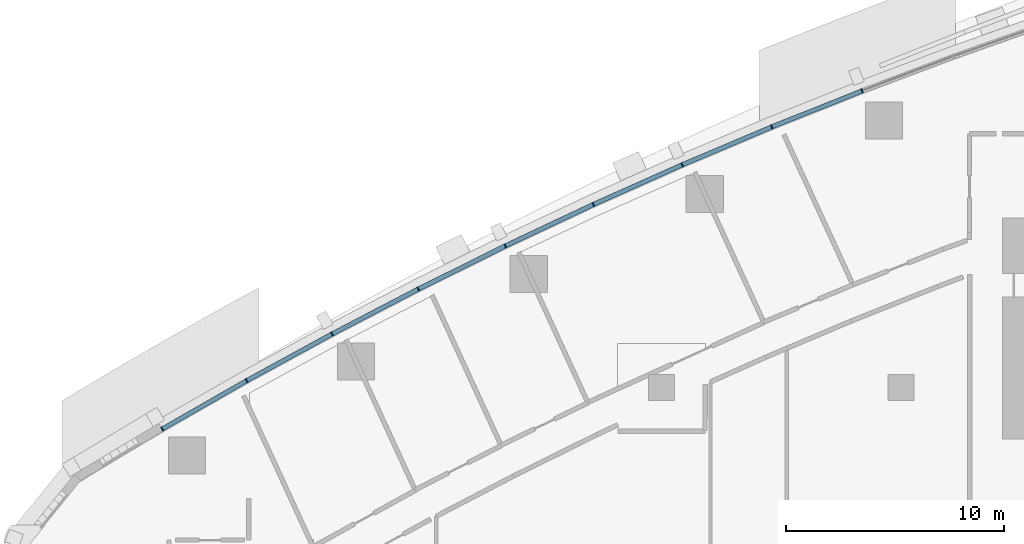
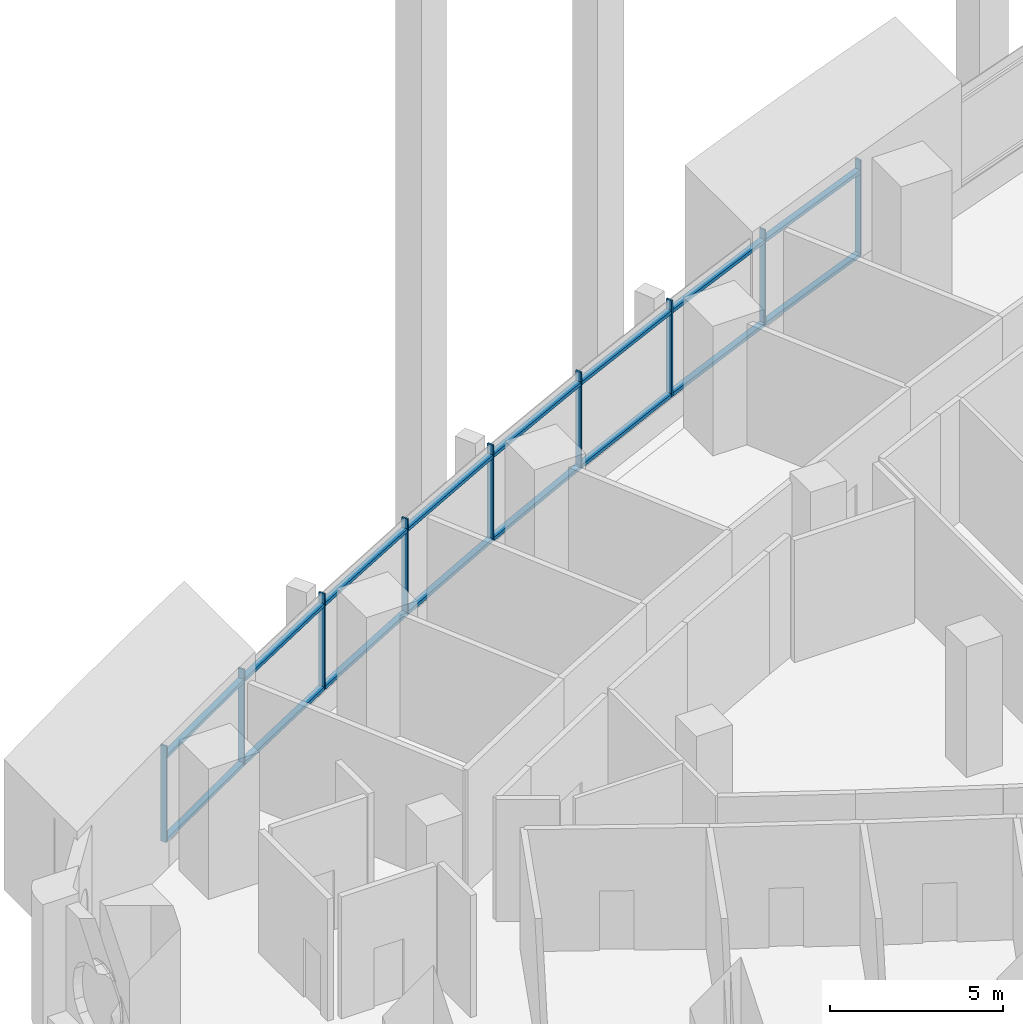
# One storey, part 4 of 17: 25 members, 5 elements without a shape of their own.
"""IFC4 building model written with IfcOpenShell, lengths in metres."""

from ifc_helpers import new_model, si_unit, direction, frame, origin, origin_2d, place, context, subcontext, project, spatial, rectangle, extrude, material, layer, layer_set, material_profile, profile_set, type_object, element, aggregate, save


model = new_model("IFC4")

# Units and contexts
model_context = context("Model", 3, precision=1e-05, world=origin(), true_north=direction((0.0, 1.0)))
body_context = subcontext(model_context, "Body", "Model", "MODEL_VIEW")
ifc_project = project(units=[si_unit("LENGTHUNIT", "METRE"), si_unit("AREAUNIT", "SQUARE_METRE"), si_unit("VOLUMEUNIT", "CUBIC_METRE"), si_unit("PLANEANGLEUNIT", "RADIAN"), si_unit("MASSUNIT", "GRAM", prefix="KILO")], contexts=[model_context])

# Site, building, storey
site_placement = place(None, origin())
site = spatial("IfcSite", under=ifc_project, at=site_placement, CompositionType="ELEMENT")
building_placement = place(site_placement, origin())
building = spatial("IfcBuilding", under=site, at=building_placement, Name="Ostrand Prow Hotel Tower", CompositionType="ELEMENT")
storey_placement = place(building_placement, frame((0.0, 0.0, 80.300048828125)))
storey = spatial("IfcBuildingStorey", under=building, at=storey_placement, Name="L18", CompositionType="ELEMENT", Elevation=80.300048828125)

# Curtain wall, member
ifc_material_1 = material(Name="Insulated glass in bronze anodised frame", Category="glass")
ifc_layer = layer(ifc_material_1, 0.199951171875)
ifc_layer_set = layer_set([ifc_layer], Name="Insulated glass in bronze anodised frame")
curtain_wall_type = type_object("IfcCurtainWallType", Name="Sky lobby full-height curtain wall", PredefinedType="NOTDEFINED", material=ifc_layer_set)
curtain_wall_1_placement = place(storey_placement, origin())
curtain_wall_1 = element("IfcCurtainWall", 1, at=curtain_wall_1_placement, inside=storey, type_object=curtain_wall_type, Name="CW3 run CWN1", PredefinedType="NOTDEFINED")
ifc_material_2 = material(Name="Bronze anodised aluminium", Category="aluminium")
ifc_material_profile_1 = material_profile(ifc_material_2, rectangle(XDim=0.199951171875, YDim=0.06005859375, at=origin_2d()), Name="Mullion 60x200 bronze anodised aluminium")
ifc_profile_set_1 = profile_set([ifc_material_profile_1], Name="Bronze anodised aluminium")
member_type_1 = type_object("IfcMemberType", Name="Mullion 60x200 bronze anodised aluminium", PredefinedType="MULLION", material=ifc_profile_set_1)
member_1_placement = place(storey_placement, frame((43.211181640625, 22.62939453125, 0.89990234375), z_axis=(0.0, 0.0, 1.0), x_axis=(0.35230885193, -0.935883792387, 0.0)))
member_1 = element("IfcMember", 2, at=member_1_placement, type_object=member_type_1, Name="CW3 mullion 3", PredefinedType="MULLION", context=body_context, shape_type="SweptSolid", body=[
    extrude(rectangle(XDim=0.199951171875, YDim=0.06005859375, at=origin_2d()), origin(), (0.0, 0.0, 1.0), 3.400146484375),
])
aggregate(curtain_wall_1, [member_1])

# Curtain wall, members
curtain_wall_2_placement = place(storey_placement, origin())
curtain_wall_2 = element("IfcCurtainWall", 3, at=curtain_wall_2_placement, inside=storey, type_object=curtain_wall_type, Name="CW3 run CWN2", PredefinedType="NOTDEFINED")
member_2_placement = place(storey_placement, frame((39.06396484375, 20.97265625, 0.89990234375), z_axis=(0.0, 0.0, 1.0), x_axis=(0.389506566255, -0.921023688536, 0.0)))
member_2 = element("IfcMember", 4, at=member_2_placement, type_object=member_type_1, Name="CW3 mullion 2", PredefinedType="MULLION", context=body_context, shape_type="SweptSolid", body=[
    extrude(rectangle(XDim=0.199951171875, YDim=0.06005859375, at=origin_2d()), origin(), (0.0, 0.0, 1.0), 3.400146484375),
])
member_3_placement = place(storey_placement, frame((34.95068359375, 19.233154296875, 0.89990234375), z_axis=(0.0, 0.0, 1.0), x_axis=(0.389506566255, -0.921023688536, 0.0)))
member_3 = element("IfcMember", 5, at=member_3_placement, type_object=member_type_1, Name="CW3 mullion 3", PredefinedType="MULLION", context=body_context, shape_type="SweptSolid", body=[
    extrude(rectangle(XDim=0.199951171875, YDim=0.06005859375, at=origin_2d()), origin(), (0.0, 0.0, 1.0), 3.400146484375),
])

curtain_wall_3_placement = place(storey_placement, origin())
curtain_wall_3 = element("IfcCurtainWall", 6, at=curtain_wall_3_placement, inside=storey, type_object=curtain_wall_type, Name="CW3 run CWN3", PredefinedType="NOTDEFINED")
member_4_placement = place(storey_placement, frame((30.872802734375, 17.41162109375, 0.89990234375), z_axis=(0.0, 0.0, 1.0), x_axis=(0.426079320162, -0.904685808958, 0.0)))
member_4 = element("IfcMember", 7, at=member_4_placement, type_object=member_type_1, Name="CW3 mullion 2", PredefinedType="MULLION", context=body_context, shape_type="SweptSolid", body=[
    extrude(rectangle(XDim=0.199951171875, YDim=0.06005859375, at=origin_2d()), origin(), (0.0, 0.0, 1.0), 3.400146484375),
])
member_5_placement = place(storey_placement, frame((26.83251953125, 15.508544921875, 0.89990234375), z_axis=(0.0, 0.0, 1.0), x_axis=(0.426079320162, -0.904685808958, 0.0)))
member_5 = element("IfcMember", 8, at=member_5_placement, type_object=member_type_1, Name="CW3 mullion 3", PredefinedType="MULLION", context=body_context, shape_type="SweptSolid", body=[
    extrude(rectangle(XDim=0.199951171875, YDim=0.06005859375, at=origin_2d()), origin(), (0.0, 0.0, 1.0), 3.400146484375),
])

curtain_wall_4_placement = place(storey_placement, origin())
curtain_wall_4 = element("IfcCurtainWall", 9, at=curtain_wall_4_placement, inside=storey, type_object=curtain_wall_type, Name="CW3 run CWN4", PredefinedType="NOTDEFINED")
member_6_placement = place(storey_placement, frame((22.831298828125, 13.525146484375, 0.89990234375), z_axis=(0.0, 0.0, 1.0), x_axis=(0.461968432937, -0.886896367661, 0.0)))
member_6 = element("IfcMember", 10, at=member_6_placement, type_object=member_type_1, Name="CW3 mullion 2", PredefinedType="MULLION", context=body_context, shape_type="SweptSolid", body=[
    extrude(rectangle(XDim=0.199951171875, YDim=0.06005859375, at=origin_2d()), origin(), (0.0, 0.0, 1.0), 3.400146484375),
])
member_7_placement = place(storey_placement, frame((18.870361328125, 11.4619140625, 0.89990234375), z_axis=(0.0, 0.0, 1.0), x_axis=(0.461968432937, -0.886896367661, 0.0)))
member_7 = element("IfcMember", 11, at=member_7_placement, type_object=member_type_1, Name="CW3 mullion 3", PredefinedType="MULLION", context=body_context, shape_type="SweptSolid", body=[
    extrude(rectangle(XDim=0.199951171875, YDim=0.06005859375, at=origin_2d()), origin(), (0.0, 0.0, 1.0), 3.400146484375),
])

curtain_wall_5_placement = place(storey_placement, origin())
curtain_wall_5 = element("IfcCurtainWall", 12, at=curtain_wall_5_placement, inside=storey, type_object=curtain_wall_type, Name="CW3 run CWN5", PredefinedType="NOTDEFINED")
member_8_placement = place(storey_placement, frame((14.951416015625, 9.320068359375, 0.89990234375), z_axis=(0.0, 0.0, 1.0), x_axis=(0.497114806368, -0.867684775301, 0.0)))
member_8 = element("IfcMember", 13, at=member_8_placement, type_object=member_type_1, Name="CW3 mullion 2", PredefinedType="MULLION", context=body_context, shape_type="SweptSolid", body=[
    extrude(rectangle(XDim=0.199951171875, YDim=0.06005859375, at=origin_2d()), origin(), (0.0, 0.0, 1.0), 3.400146484375),
])
member_9_placement = place(storey_placement, frame((11.076416015625, 7.099853515625, 0.89990234375), z_axis=(0.0, 0.0, 1.0), x_axis=(0.497114806368, -0.867684775301, 0.0)))
member_9 = element("IfcMember", 14, at=member_9_placement, type_object=member_type_1, Name="CW3 mullion 3", PredefinedType="MULLION", context=body_context, shape_type="SweptSolid", body=[
    extrude(rectangle(XDim=0.199951171875, YDim=0.06005859375, at=origin_2d()), origin(), (0.0, 0.0, 1.0), 3.400146484375),
])

# Member
ifc_material_3 = material(Name="Bronze anodised aluminium", Category="aluminium")
ifc_material_profile_2 = material_profile(ifc_material_3, rectangle(XDim=0.199951171875, YDim=0.1201171875, at=origin_2d()), Name="Transom 120x200 bronze anodised aluminium")
ifc_profile_set_2 = profile_set([ifc_material_profile_2], Name="Bronze anodised aluminium")
member_type_2 = type_object("IfcMemberType", Name="Transom 120x200 bronze anodised aluminium", PredefinedType="USERDEFINED", material=ifc_profile_set_2)
member_10_placement = place(storey_placement, frame((43.183349609375, 22.618408203125, 0.9599609375), z_axis=(-0.928621833209, -0.371027614724, 0.0), x_axis=(0.371027614724, -0.928621833209, 0.0)))
member_10 = element("IfcMember", 15, at=member_10_placement, type_object=member_type_2, Name="CW3 transom 1.1", ObjectType="TRANSOM", PredefinedType="USERDEFINED", context=body_context, shape_type="SweptSolid", body=[
    extrude(rectangle(XDim=0.199951171875, YDim=0.1201171875, at=origin_2d()), origin(), (0.0, 0.0, 1.0), 4.406005859375),
])

member_11_placement = place(storey_placement, frame((43.183349609375, 22.618408203125, 3.89990234375), z_axis=(-0.928621833209, -0.371027614724, 0.0), x_axis=(0.371027614724, -0.928621833209, 0.0)))
member_11 = element("IfcMember", 16, at=member_11_placement, type_object=member_type_2, Name="CW3 transom 1.2", ObjectType="TRANSOM", PredefinedType="USERDEFINED", context=body_context, shape_type="SweptSolid", body=[
    extrude(rectangle(XDim=0.199951171875, YDim=0.1201171875, at=origin_2d()), origin(), (0.0, 0.0, 1.0), 4.406005859375),
])

member_12_placement = place(storey_placement, frame((39.0361328125, 20.9609375, 0.9599609375), z_axis=(-0.921006250528, -0.389547797438, 0.0), x_axis=(0.389547797438, -0.921006250528, 0.0)))
member_12 = element("IfcMember", 17, at=member_12_placement, type_object=member_type_2, Name="CW3 transom 2.1", ObjectType="TRANSOM", PredefinedType="USERDEFINED", context=body_context, shape_type="SweptSolid", body=[
    extrude(rectangle(XDim=0.199951171875, YDim=0.1201171875, at=origin_2d()), origin(), (0.0, 0.0, 1.0), 4.406005859375),
])

member_13_placement = place(storey_placement, frame((39.0361328125, 20.9609375, 3.89990234375), z_axis=(-0.921006250528, -0.389547797438, 0.0), x_axis=(0.389547797438, -0.921006250528, 0.0)))
member_13 = element("IfcMember", 18, at=member_13_placement, type_object=member_type_2, Name="CW3 transom 2.2", ObjectType="TRANSOM", PredefinedType="USERDEFINED", context=body_context, shape_type="SweptSolid", body=[
    extrude(rectangle(XDim=0.199951171875, YDim=0.1201171875, at=origin_2d()), origin(), (0.0, 0.0, 1.0), 4.406005859375),
])

aggregate(curtain_wall_2, [member_2, member_3, member_10, member_11, member_12, member_13])

member_14_placement = place(storey_placement, frame((34.923095703125, 19.220703125, 0.9599609375), z_axis=(-0.913030665163, -0.407890922271, 0.0), x_axis=(0.407890922271, -0.913030665163, 0.0)))
member_14 = element("IfcMember", 19, at=member_14_placement, type_object=member_type_2, Name="CW3 transom 1.1", ObjectType="TRANSOM", PredefinedType="USERDEFINED", context=body_context, shape_type="SweptSolid", body=[
    extrude(rectangle(XDim=0.199951171875, YDim=0.1201171875, at=origin_2d()), origin(), (0.0, 0.0, 1.0), 4.40576171875),
])

member_15_placement = place(storey_placement, frame((34.923095703125, 19.220703125, 3.89990234375), z_axis=(-0.913030665163, -0.407890922271, 0.0), x_axis=(0.407890922271, -0.913030665163, 0.0)))
member_15 = element("IfcMember", 20, at=member_15_placement, type_object=member_type_2, Name="CW3 transom 1.2", ObjectType="TRANSOM", PredefinedType="USERDEFINED", context=body_context, shape_type="SweptSolid", body=[
    extrude(rectangle(XDim=0.199951171875, YDim=0.1201171875, at=origin_2d()), origin(), (0.0, 0.0, 1.0), 4.40576171875),
])

member_16_placement = place(storey_placement, frame((30.845703125, 17.398681640625, 0.9599609375), z_axis=(-0.904696854963, -0.42605586561, 0.0), x_axis=(0.42605586561, -0.904696854963, 0.0)))
member_16 = element("IfcMember", 21, at=member_16_placement, type_object=member_type_2, Name="CW3 transom 2.1", ObjectType="TRANSOM", PredefinedType="USERDEFINED", context=body_context, shape_type="SweptSolid", body=[
    extrude(rectangle(XDim=0.199951171875, YDim=0.1201171875, at=origin_2d()), origin(), (0.0, 0.0, 1.0), 4.406005859375),
])

member_17_placement = place(storey_placement, frame((30.845703125, 17.398681640625, 3.89990234375), z_axis=(-0.904696854963, -0.42605586561, 0.0), x_axis=(0.42605586561, -0.904696854963, 0.0)))
member_17 = element("IfcMember", 22, at=member_17_placement, type_object=member_type_2, Name="CW3 transom 2.2", ObjectType="TRANSOM", PredefinedType="USERDEFINED", context=body_context, shape_type="SweptSolid", body=[
    extrude(rectangle(XDim=0.199951171875, YDim=0.1201171875, at=origin_2d()), origin(), (0.0, 0.0, 1.0), 4.406005859375),
])

aggregate(curtain_wall_3, [member_4, member_5, member_14, member_15, member_16, member_17])

member_18_placement = place(storey_placement, frame((26.8056640625, 15.495361328125, 0.9599609375), z_axis=(-0.895962348168, -0.444130015497, 0.0), x_axis=(0.444130015497, -0.895962348168, 0.0)))
member_18 = element("IfcMember", 23, at=member_18_placement, type_object=member_type_2, Name="CW3 transom 1.1", ObjectType="TRANSOM", PredefinedType="USERDEFINED", context=body_context, shape_type="SweptSolid", body=[
    extrude(rectangle(XDim=0.199951171875, YDim=0.1201171875, at=origin_2d()), origin(), (0.0, 0.0, 1.0), 4.406005859375),
])

member_19_placement = place(storey_placement, frame((26.8056640625, 15.495361328125, 3.89990234375), z_axis=(-0.895962348168, -0.444130015497, 0.0), x_axis=(0.444130015497, -0.895962348168, 0.0)))
member_19 = element("IfcMember", 24, at=member_19_placement, type_object=member_type_2, Name="CW3 transom 1.2", ObjectType="TRANSOM", PredefinedType="USERDEFINED", context=body_context, shape_type="SweptSolid", body=[
    extrude(rectangle(XDim=0.199951171875, YDim=0.1201171875, at=origin_2d()), origin(), (0.0, 0.0, 1.0), 4.406005859375),
])

member_20_placement = place(storey_placement, frame((22.8046875, 13.51123046875, 0.9599609375), z_axis=(-0.886901787206, -0.461958028235, 0.0), x_axis=(0.461958028235, -0.886901787206, 0.0)))
member_20 = element("IfcMember", 25, at=member_20_placement, type_object=member_type_2, Name="CW3 transom 2.1", ObjectType="TRANSOM", PredefinedType="USERDEFINED", context=body_context, shape_type="SweptSolid", body=[
    extrude(rectangle(XDim=0.199951171875, YDim=0.1201171875, at=origin_2d()), origin(), (0.0, 0.0, 1.0), 4.406005859375),
])

member_21_placement = place(storey_placement, frame((22.8046875, 13.51123046875, 3.89990234375), z_axis=(-0.886901787206, -0.461958028235, 0.0), x_axis=(0.461958028235, -0.886901787206, 0.0)))
member_21 = element("IfcMember", 26, at=member_21_placement, type_object=member_type_2, Name="CW3 transom 2.2", ObjectType="TRANSOM", PredefinedType="USERDEFINED", context=body_context, shape_type="SweptSolid", body=[
    extrude(rectangle(XDim=0.199951171875, YDim=0.1201171875, at=origin_2d()), origin(), (0.0, 0.0, 1.0), 4.406005859375),
])

aggregate(curtain_wall_4, [member_6, member_7, member_18, member_19, member_20, member_21])

member_22_placement = place(storey_placement, frame((18.843994140625, 11.44775390625, 0.9599609375), z_axis=(-0.877471714137, -0.479628388328, 0.0), x_axis=(0.479628388328, -0.877471714137, 0.0)))
member_22 = element("IfcMember", 27, at=member_22_placement, type_object=member_type_2, Name="CW3 transom 1.1", ObjectType="TRANSOM", PredefinedType="USERDEFINED", context=body_context, shape_type="SweptSolid", body=[
    extrude(rectangle(XDim=0.199951171875, YDim=0.1201171875, at=origin_2d()), origin(), (0.0, 0.0, 1.0), 4.406005859375),
])

member_23_placement = place(storey_placement, frame((18.843994140625, 11.44775390625, 3.89990234375), z_axis=(-0.877471714137, -0.479628388328, 0.0), x_axis=(0.479628388328, -0.877471714137, 0.0)))
member_23 = element("IfcMember", 28, at=member_23_placement, type_object=member_type_2, Name="CW3 transom 1.2", ObjectType="TRANSOM", PredefinedType="USERDEFINED", context=body_context, shape_type="SweptSolid", body=[
    extrude(rectangle(XDim=0.199951171875, YDim=0.1201171875, at=origin_2d()), origin(), (0.0, 0.0, 1.0), 4.406005859375),
])

member_24_placement = place(storey_placement, frame((14.925537109375, 9.30517578125, 0.9599609375), z_axis=(-0.86766970623, -0.497141107625, 0.0), x_axis=(0.497141107625, -0.86766970623, 0.0)))
member_24 = element("IfcMember", 29, at=member_24_placement, type_object=member_type_2, Name="CW3 transom 2.1", ObjectType="TRANSOM", PredefinedType="USERDEFINED", context=body_context, shape_type="SweptSolid", body=[
    extrude(rectangle(XDim=0.199951171875, YDim=0.1201171875, at=origin_2d()), origin(), (0.0, 0.0, 1.0), 4.406005859375),
])

member_25_placement = place(storey_placement, frame((14.925537109375, 9.30517578125, 3.89990234375), z_axis=(-0.86766970623, -0.497141107625, 0.0), x_axis=(0.497141107625, -0.86766970623, 0.0)))
member_25 = element("IfcMember", 30, at=member_25_placement, type_object=member_type_2, Name="CW3 transom 2.2", ObjectType="TRANSOM", PredefinedType="USERDEFINED", context=body_context, shape_type="SweptSolid", body=[
    extrude(rectangle(XDim=0.199951171875, YDim=0.1201171875, at=origin_2d()), origin(), (0.0, 0.0, 1.0), 4.406005859375),
])

aggregate(curtain_wall_5, [member_8, member_9, member_22, member_23, member_24, member_25])

save(model, "model.ifc")
